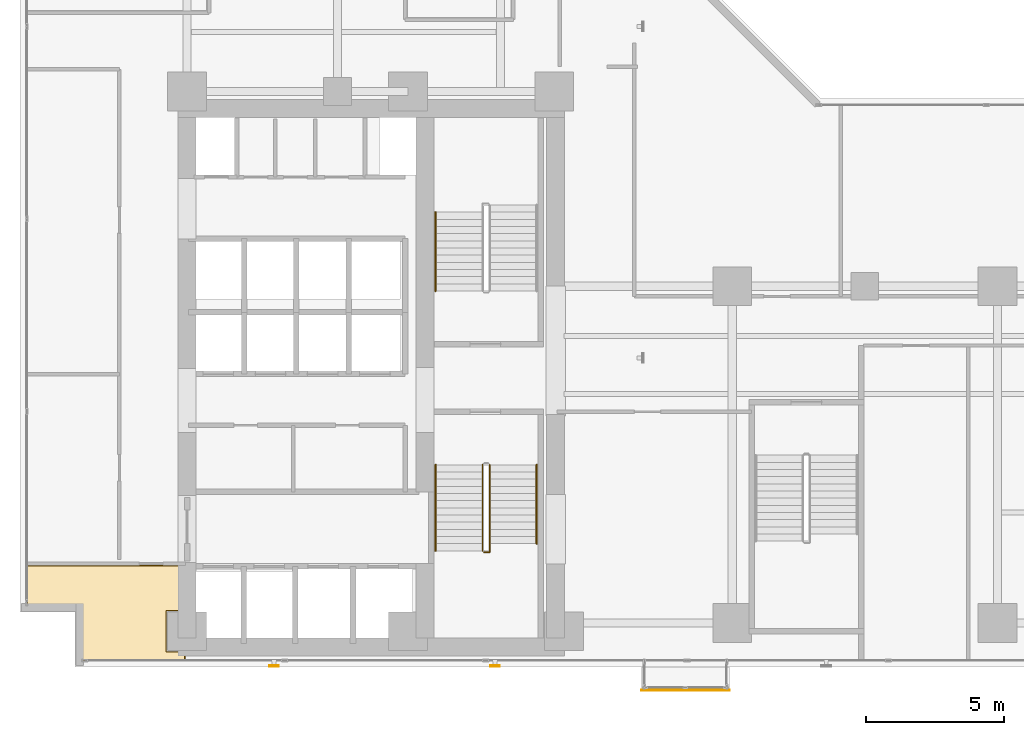
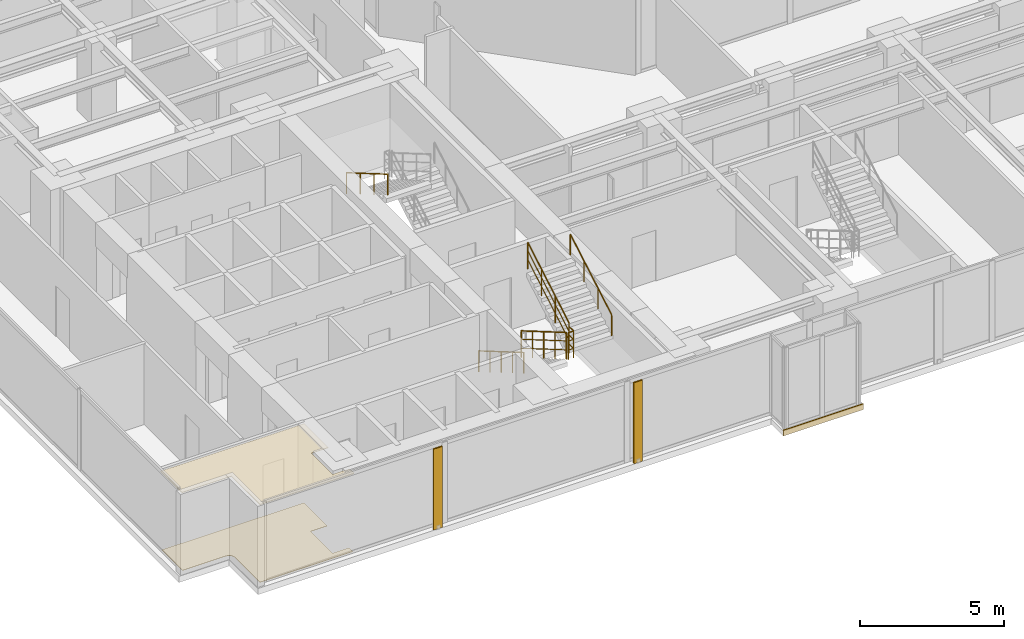
# One storey, part 23 of 25: 6 railings, 3 coverings, 2 shading devices.
"""IFC4 building model written with IfcOpenShell, lengths in metres."""

from ifc_helpers import new_model, si_unit, direction, frame, origin, origin_2d, place, context, subcontext, project, spatial, polyline, rectangle, hollow_rectangle, circle, outline, extrude, material, layer, layer_set, material_profile, profile_set, type_object, element, save


model = new_model("IFC4")

# Units and contexts
model_context = context("Model", 3, precision=1e-05, world=origin(), true_north=direction((0.0, 1.0)))
body_context = subcontext(model_context, "Body", "Model", "MODEL_VIEW")
ifc_project = project(units=[si_unit("LENGTHUNIT", "METRE"), si_unit("AREAUNIT", "SQUARE_METRE"), si_unit("VOLUMEUNIT", "CUBIC_METRE"), si_unit("PLANEANGLEUNIT", "RADIAN"), si_unit("MASSUNIT", "GRAM", prefix="KILO")], contexts=[model_context])

# Site, building, storey
site_placement = place(None, origin())
site = spatial("IfcSite", under=ifc_project, at=site_placement, CompositionType="ELEMENT")
building_placement = place(site_placement, origin())
building = spatial("IfcBuilding", under=site, at=building_placement, Name="Kolvaren Waterfront Exchange", CompositionType="ELEMENT")
storey_placement = place(building_placement, frame((0.0, 0.0, 137.300048828125)))
storey = spatial("IfcBuildingStorey", under=building, at=storey_placement, Name="L35", CompositionType="ELEMENT", Elevation=137.300048828125)

# Coverings
ifc_material_1 = material(Name="Mineral fibre acoustic ceiling tile")
ifc_layer_1 = layer(ifc_material_1, 0.02490234375, Name="Mineral fibre acoustic ceiling tile")
ifc_layer_set_1 = layer_set([ifc_layer_1], Name="Mineral fibre acoustic ceiling tile")
covering_type_1 = type_object("IfcCoveringType", Name="ARC-CEIL-ACOUSTIC-25", PredefinedType="CEILING", material=ifc_layer_set_1)
covering_1_placement = place(storey_placement, frame((0.0, 0.0, 3.304931640625)))
element("IfcCovering", 1, at=covering_1_placement, inside=storey, type_object=covering_type_1, Name="L35 acoustic suspended ceiling 3", PredefinedType="CEILING", context=body_context, shape_type="SweptSolid", body=[
    extrude(outline(polyline([(7.385009765625, 4.159912109375), (6.7099609375, 4.159912109375), (6.7099609375, 5.639892578125), (7.385009765625, 5.639892578125), (7.385009765625, 7.304931640625), (1.64501953125, 7.304931640625), (1.64501953125, 5.820068359375), (3.6201171875, 5.820068359375), (3.6201171875, 3.844970703125), (7.385009765625, 3.844970703125), (7.385009765625, 4.159912109375)])), origin(), (0.0, 0.0, 1.0), 0.02490234375),
])
ifc_material_2 = material(Name="Anodised bronze fascia aluminium", Category="aluminium")
ifc_layer_2 = layer(ifc_material_2, 0.034912109375, Name="Anodised bronze fascia aluminium")
ifc_layer_set_2 = layer_set([ifc_layer_2], Name="Anodised bronze fascia aluminium")
covering_type_2 = type_object("IfcCoveringType", Name="ARC-CLAD-BRONZE-35", PredefinedType="CLADDING", material=ifc_layer_set_2)
covering_2_placement = place(storey_placement, frame((25.5, 2.77001953125, -0.22021484375), z_axis=(0.0, 0.0, 1.0), x_axis=(1.0, 0.0, 0.0)))
element("IfcCovering", 2, at=covering_2_placement, inside=storey, type_object=covering_type_2, Name="L35 ribbed anodised bronze bay-box fascia", PredefinedType="CLADDING", context=body_context, shape_type="SweptSolid", body=[
    extrude(rectangle(XDim=3.199951171875, YDim=0.034912109375, at=origin_2d()), origin(), (0.0, 0.0, 1.0), 0.239990234375),
])

# Shading devices
ifc_material_3 = material(Name="Anodised bronze aluminium 6063-T6", Category="aluminium")
ifc_material_profile = material_profile(ifc_material_3, hollow_rectangle(XDim=0.06005859375, YDim=0.35009765625, WallThickness=0.0048828125, at=origin_2d()), Name="BRZ-FIN-350x60x5")
ifc_profile_set = profile_set([ifc_material_profile], Name="Anodised bronze aluminium 6063-T6")
shading_device_type = type_object("IfcShadingDeviceType", Name="ARC-FIN-350", PredefinedType="USERDEFINED", material=ifc_profile_set)
for number, where, z_axis, x_axis, name in (
    (3, (10.60009765625, 3.639892578125, 0.0), (0.0, 0.0, 1.0), (0.0, -1.0, 0.0), "L35 anodised bronze solar shading fin FIN-L35-S1"),
    (4, (18.60009765625, 3.639892578125, 0.0), (0.0, 0.0, 1.0), (0.0, -1.0, 0.0), "L35 anodised bronze solar shading fin FIN-L35-S2"),
):
    element("IfcShadingDevice", number, at=place(storey_placement, frame(where, z_axis=z_axis, x_axis=x_axis)), inside=storey, type_object=shading_device_type, Name=name, ObjectType="SOLAR FIN", PredefinedType="USERDEFINED", context=body_context, shape_type="SweptSolid", body=[
        extrude(hollow_rectangle(XDim=0.06005859375, YDim=0.35009765625, WallThickness=0.0048828125, at=origin_2d()), origin(), (0.0, 0.0, 1.0), 3.419921875),
    ])

# Covering
ifc_material_4 = material(Name="Slip-resistant porcelain tile")
ifc_layer_3 = layer(ifc_material_4, 0.014892578125, Name="Slip-resistant porcelain tile")
ifc_layer_set_3 = layer_set([ifc_layer_3], Name="Slip-resistant porcelain tile")
covering_type_3 = type_object("IfcCoveringType", Name="ARC-FLR-PORC-15", PredefinedType="FLOORING", material=ifc_layer_set_3)
covering_3_placement = place(storey_placement, origin())
element("IfcCovering", 5, at=covering_3_placement, inside=storey, type_object=covering_type_3, Name="L35 floor finish 3", PredefinedType="FLOORING", context=body_context, shape_type="SweptSolid", body=[
    extrude(outline(polyline([(7.35009765625, 7.27001953125), (1.679931640625, 7.27001953125), (1.679931640625, 5.840087890625), (3.39990234375, 5.840087890625), (3.423583984375, 5.8388671875), (3.44677734375, 5.83544921875), (3.4697265625, 5.82958984375), (3.49169921875, 5.82177734375), (3.51318359375, 5.811767578125), (3.533203125, 5.799560546875), (3.55224609375, 5.785400390625), (3.569580078125, 5.769775390625), (3.58544921875, 5.752197265625), (3.599609375, 5.7333984375), (3.61181640625, 5.713134765625), (3.62158203125, 5.69189453125), (3.629638671875, 5.669677734375), (3.635498046875, 5.646728515625), (3.638916015625, 5.62353515625), (3.639892578125, 5.60009765625), (3.639892578125, 3.8798828125), (7.35009765625, 3.8798828125), (7.35009765625, 4.139892578125), (6.68994140625, 4.139892578125), (6.68994140625, 5.659912109375), (7.35009765625, 5.659912109375), (7.35009765625, 7.27001953125)])), origin(), (0.0, 0.0, 1.0), 0.014892578125),
])

# Railings
ifc_material_5 = material(Name="Stainless steel 316", Category="steel")
railing_type_1 = type_object("IfcRailingType", Name="ARC-GUARD-STAIR", PredefinedType="GUARDRAIL", material=ifc_material_5)
railing_1_placement = place(storey_placement, frame((18.14990234375, 10.929931640625, 0.15185546875)))
element("IfcRailing", 6, at=railing_1_placement, inside=storey, type_object=railing_type_1, Name="L35 ST1 stair guard 1", PredefinedType="GUARDRAIL", context=body_context, shape_type="SweptSolid", body=[
    extrude(circle(Radius=0.02392578125, at=origin_2d()), frame((0.0, 0.0, 1.1259765625), z_axis=(0.0, -0.86329090724, 0.504706656858), x_axis=(1.0, 0.0, 0.0)), (0.0, 0.0, 1.0), 3.614013671875),
    extrude(circle(Radius=0.01611328125, at=origin_2d()), frame((0.0, 0.0, 0.390869140625), z_axis=(0.0, -0.86329090724, 0.504706656858), x_axis=(1.0, 0.0, 0.0)), (0.0, 0.0, 1.0), 3.614013671875),
    extrude(circle(Radius=0.01611328125, at=origin_2d()), frame((0.0, 0.0, 0.7705078125), z_axis=(0.0, -0.86329090724, 0.504706656858), x_axis=(1.0, 0.0, 0.0)), (0.0, 0.0, 1.0), 3.614013671875),
    extrude(circle(Radius=0.02099609375, at=origin_2d()), origin(), (0.0, 0.0, 1.0), 1.101806640625),
    extrude(circle(Radius=0.02099609375, at=origin_2d()), frame((0.0, -0.780029296875, 0.4560546875)), (0.0, 0.0, 1.0), 1.101806640625),
    extrude(circle(Radius=0.02099609375, at=origin_2d()), frame((0.0, -1.56005859375, 0.912109375)), (0.0, 0.0, 1.0), 1.101806640625),
    extrude(circle(Radius=0.02099609375, at=origin_2d()), frame((0.0, -2.33984375, 1.367919921875)), (0.0, 0.0, 1.0), 1.101806640625),
    extrude(circle(Radius=0.02099609375, at=origin_2d()), frame((0.0, -3.119873046875, 1.823974609375)), (0.0, 0.0, 1.0), 1.101806640625),
])
railing_2_placement = place(storey_placement, frame((18.199951171875, 7.760009765625, 1.975830078125)))
element("IfcRailing", 7, at=railing_2_placement, inside=storey, type_object=railing_type_1, Name="L35 ST1 stair guard 2", PredefinedType="GUARDRAIL", context=body_context, shape_type="SweptSolid", body=[
    extrude(circle(Radius=0.02392578125, at=origin_2d()), frame((0.0, 0.0, 1.1259765625), z_axis=(1.0, 0.0, 0.0), x_axis=(0.0, 1.0, 0.0)), (0.0, 0.0, 1.0), 0.2099609375),
    extrude(circle(Radius=0.01611328125, at=origin_2d()), frame((0.0, 0.0, 0.390869140625), z_axis=(1.0, 0.0, 0.0), x_axis=(0.0, 1.0, 0.0)), (0.0, 0.0, 1.0), 0.2099609375),
    extrude(circle(Radius=0.01611328125, at=origin_2d()), frame((0.0, 0.0, 0.7705078125), z_axis=(1.0, 0.0, 0.0), x_axis=(0.0, 1.0, 0.0)), (0.0, 0.0, 1.0), 0.2099609375),
    extrude(circle(Radius=0.02392578125, at=origin_2d()), frame((0.2099609375, 0.0, 1.1259765625), z_axis=(0.0, 1.0, 0.0), x_axis=(-1.0, 0.0, 0.0)), (0.0, 0.0, 1.0), 0.31005859375),
    extrude(circle(Radius=0.01611328125, at=origin_2d()), frame((0.2099609375, 0.0, 0.390869140625), z_axis=(0.0, 1.0, 0.0), x_axis=(-1.0, 0.0, 0.0)), (0.0, 0.0, 1.0), 0.31005859375),
    extrude(circle(Radius=0.01611328125, at=origin_2d()), frame((0.2099609375, 0.0, 0.7705078125), z_axis=(0.0, 1.0, 0.0), x_axis=(-1.0, 0.0, 0.0)), (0.0, 0.0, 1.0), 0.31005859375),
    extrude(circle(Radius=0.02099609375, at=origin_2d()), origin(), (0.0, 0.0, 1.0), 1.101806640625),
    extrude(circle(Radius=0.02099609375, at=origin_2d()), frame((0.2099609375, 0.0, 0.0)), (0.0, 0.0, 1.0), 1.101806640625),
    extrude(circle(Radius=0.02099609375, at=origin_2d()), frame((0.2099609375, 0.31005859375, 0.0)), (0.0, 0.0, 1.0), 1.101806640625),
])
railing_3_placement = place(storey_placement, frame((18.409912109375, 8.070068359375, 2.1279296875)))
element("IfcRailing", 8, at=railing_3_placement, inside=storey, type_object=railing_type_1, Name="L35 ST1 stair guard 3", PredefinedType="GUARDRAIL", context=body_context, shape_type="SweptSolid", body=[
    extrude(circle(Radius=0.02392578125, at=origin_2d()), frame((0.0, 0.0, 1.1259765625), z_axis=(0.0, 0.863270611444, 0.50474137082), x_axis=(-1.0, 0.0, 0.0)), (0.0, 0.0, 1.0), 3.312744140625),
    extrude(circle(Radius=0.01611328125, at=origin_2d()), frame((0.0, 0.0, 0.390869140625), z_axis=(0.0, 0.863270611444, 0.50474137082), x_axis=(-1.0, 0.0, 0.0)), (0.0, 0.0, 1.0), 3.312744140625),
    extrude(circle(Radius=0.01611328125, at=origin_2d()), frame((0.0, 0.0, 0.7705078125), z_axis=(0.0, 0.863270611444, 0.50474137082), x_axis=(-1.0, 0.0, 0.0)), (0.0, 0.0, 1.0), 3.312744140625),
    extrude(circle(Radius=0.02099609375, at=origin_2d()), origin(), (0.0, 0.0, 1.0), 1.101806640625),
    extrude(circle(Radius=0.02099609375, at=origin_2d()), frame((0.0, 0.953369140625, 0.557373046875)), (0.0, 0.0, 1.0), 1.101806640625),
    extrude(circle(Radius=0.02099609375, at=origin_2d()), frame((0.0, 1.906494140625, 1.11474609375)), (0.0, 0.0, 1.0), 1.101806640625),
    extrude(circle(Radius=0.02099609375, at=origin_2d()), frame((0.0, 2.85986328125, 1.672119140625)), (0.0, 0.0, 1.0), 1.101806640625),
])
railing_type_2 = type_object("IfcRailingType", Name="ARC-HANDRAIL-900", PredefinedType="HANDRAIL", material=ifc_material_5)
railing_4_placement = place(storey_placement, frame((16.449951171875, 10.929931640625, 0.15185546875)))
element("IfcRailing", 9, at=railing_4_placement, inside=storey, type_object=railing_type_2, Name="L35 ST1 stair handrail 1", PredefinedType="HANDRAIL", context=body_context, shape_type="SweptSolid", body=[
    extrude(circle(Radius=0.02392578125, at=origin_2d()), frame((0.0, 0.0, 0.8759765625), z_axis=(0.0, -0.86329090724, 0.504706656858), x_axis=(1.0, 0.0, 0.0)), (0.0, 0.0, 1.0), 3.614013671875),
    extrude(circle(Radius=0.02099609375, at=origin_2d()), origin(), (0.0, 0.0, 1.0), 0.851806640625),
    extrude(circle(Radius=0.02099609375, at=origin_2d()), frame((0.0, -0.780029296875, 0.4560546875)), (0.0, 0.0, 1.0), 0.851806640625),
    extrude(circle(Radius=0.02099609375, at=origin_2d()), frame((0.0, -1.56005859375, 0.912109375)), (0.0, 0.0, 1.0), 0.851806640625),
    extrude(circle(Radius=0.02099609375, at=origin_2d()), frame((0.0, -2.33984375, 1.367919921875)), (0.0, 0.0, 1.0), 0.851806640625),
    extrude(circle(Radius=0.02099609375, at=origin_2d()), frame((0.0, -3.119873046875, 1.823974609375)), (0.0, 0.0, 1.0), 0.851806640625),
])
railing_5_placement = place(storey_placement, frame((20.110107421875, 8.070068359375, 2.1279296875)))
element("IfcRailing", 10, at=railing_5_placement, inside=storey, type_object=railing_type_2, Name="L35 ST1 stair handrail 2", PredefinedType="HANDRAIL", context=body_context, shape_type="SweptSolid", body=[
    extrude(circle(Radius=0.02392578125, at=origin_2d()), frame((0.0, 0.0, 0.8759765625), z_axis=(0.0, 0.863270611444, 0.50474137082), x_axis=(-1.0, 0.0, 0.0)), (0.0, 0.0, 1.0), 3.312744140625),
    extrude(circle(Radius=0.02099609375, at=origin_2d()), origin(), (0.0, 0.0, 1.0), 0.851806640625),
    extrude(circle(Radius=0.02099609375, at=origin_2d()), frame((0.0, 0.953369140625, 0.557373046875)), (0.0, 0.0, 1.0), 0.851806640625),
    extrude(circle(Radius=0.02099609375, at=origin_2d()), frame((0.0, 1.906494140625, 1.11474609375)), (0.0, 0.0, 1.0), 0.851806640625),
    extrude(circle(Radius=0.02099609375, at=origin_2d()), frame((0.0, 2.85986328125, 1.672119140625)), (0.0, 0.0, 1.0), 0.851806640625),
])
railing_6_placement = place(storey_placement, frame((16.449951171875, 20.080078125, 2.1279296875)))
element("IfcRailing", 11, at=railing_6_placement, inside=storey, type_object=railing_type_2, Name="L35 ST2 stair handrail 2", PredefinedType="HANDRAIL", context=body_context, shape_type="SweptSolid", body=[
    extrude(circle(Radius=0.02392578125, at=origin_2d()), frame((0.0, 0.0, 0.8759765625), z_axis=(0.0, -0.863289384635, 0.504709261235), x_axis=(1.0, 0.0, 0.0)), (0.0, 0.0, 1.0), 3.31298828125),
    extrude(circle(Radius=0.02099609375, at=origin_2d()), origin(), (0.0, 0.0, 1.0), 0.851806640625),
    extrude(circle(Radius=0.02099609375, at=origin_2d()), frame((0.0, -0.953369140625, 0.557373046875)), (0.0, 0.0, 1.0), 0.851806640625),
    extrude(circle(Radius=0.02099609375, at=origin_2d()), frame((0.0, -1.90673828125, 1.11474609375)), (0.0, 0.0, 1.0), 0.851806640625),
    extrude(circle(Radius=0.02099609375, at=origin_2d()), frame((0.0, -2.860107421875, 1.672119140625)), (0.0, 0.0, 1.0), 0.851806640625),
])

save(model, "model.ifc")
